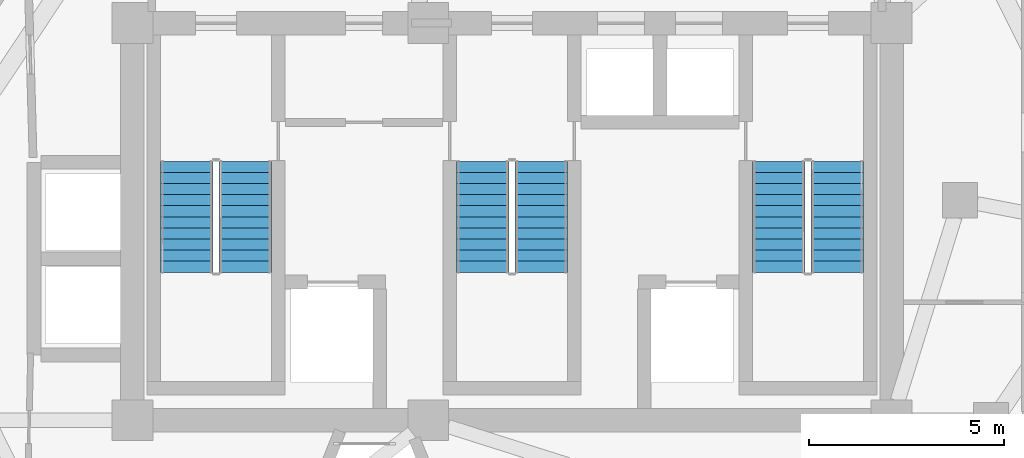
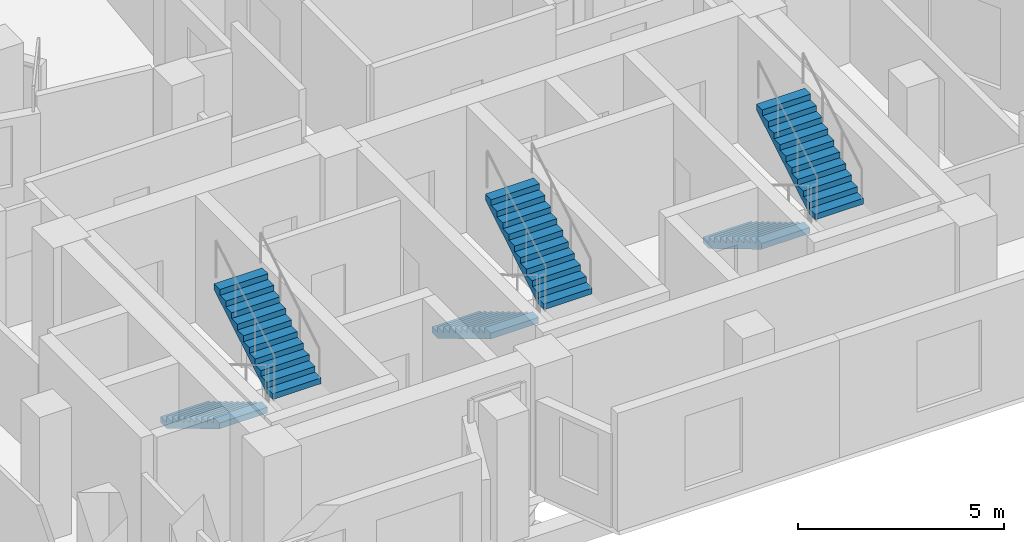
# One storey, part 8 of 10: 6 stair flights, 3 elements without a shape of their own.
"""IFC4 building model written with IfcOpenShell, lengths in metres."""

from ifc_helpers import new_model, si_unit, direction, frame, origin, place, context, subcontext, project, spatial, polyline, outline, extrude, material, type_object, element, aggregate, save


model = new_model("IFC4")

# Units and contexts
model_context = context("Model", 3, precision=1e-05, world=origin(), true_north=direction((0.0, 1.0)))
body_context = subcontext(model_context, "Body", "Model", "MODEL_VIEW")
ifc_project = project(units=[si_unit("LENGTHUNIT", "METRE"), si_unit("AREAUNIT", "SQUARE_METRE"), si_unit("VOLUMEUNIT", "CUBIC_METRE"), si_unit("PLANEANGLEUNIT", "RADIAN"), si_unit("MASSUNIT", "GRAM", prefix="KILO")], contexts=[model_context])

# Site, building, storey
site_placement = place(None, origin())
site = spatial("IfcSite", under=ifc_project, at=site_placement, CompositionType="ELEMENT")
building_placement = place(site_placement, origin())
building = spatial("IfcBuilding", under=site, at=building_placement, Name="Almagre Mirador Tower", CompositionType="ELEMENT")
storey_placement = place(building_placement, frame((0.0, 0.0, 255.75)))
storey = spatial("IfcBuildingStorey", under=building, at=storey_placement, Name="L66", CompositionType="ELEMENT", Elevation=255.75)

# Stair, stair flights
ifc_material_1 = material(Name="Concrete C45/55", Category="concrete")
stair_type = type_object("IfcStairType", Name="STR-DL-3750", PredefinedType="HALF_TURN_STAIR", material=ifc_material_1)
stair_1_placement = place(storey_placement, origin())
stair_1 = element("IfcStair", 1, at=stair_1_placement, inside=storey, type_object=stair_type, Name="L66 Protected exit stair ST-1", PredefinedType="HALF_TURN_STAIR")
ifc_material_2 = material(Name="Concrete C45/55", Category="concrete")
stair_flight_type = type_object("IfcStairFlightType", Name="FLT-DL-3750", PredefinedType="STRAIGHT", material=ifc_material_2)
stair_flight_1_placement = place(storey_placement, frame((28.949951171875, 11.199951171875, 0.0), z_axis=(0.0, 0.0, 1.0), x_axis=(0.0, -1.0, 0.0)))
stair_flight_1 = element("IfcStairFlight", 2, at=stair_flight_1_placement, type_object=stair_flight_type, Name="ST-1 flight 1", NumberOfRisers=11, NumberOfTreads=10, PredefinedType="STRAIGHT", RiserHeight=0.170454545, TreadLength=0.285, context=body_context, shape_type="SweptSolid", body=[
    extrude(outline(polyline([(0.0, 0.0), (0.0, 0.17041015625), (0.284912109375, 0.17041015625), (0.284912109375, 0.3408203125), (0.570068359375, 0.3408203125), (0.570068359375, 0.511474609375), (0.85498046875, 0.511474609375), (0.85498046875, 0.681884765625), (1.139892578125, 0.681884765625), (1.139892578125, 0.852294921875), (1.425048828125, 0.852294921875), (1.425048828125, 1.022705078125), (1.7099609375, 1.022705078125), (1.7099609375, 1.193115234375), (1.9951171875, 1.193115234375), (1.9951171875, 1.363525390625), (2.280029296875, 1.363525390625), (2.280029296875, 1.5341796875), (2.56494140625, 1.5341796875), (2.56494140625, 1.70458984375), (2.85009765625, 1.70458984375), (2.85009765625, 1.875), (2.85009765625, 1.52978515625), (0.2919921875, 0.0), (0.0, 0.0)])), frame((0.0, 0.675048828125, 0.0), z_axis=(0.0, -1.0, 0.0), x_axis=(1.0, 0.0, 0.0)), (0.0, 0.0, 1.0), 1.35009765625),
])
stair_flight_2_placement = place(storey_placement, frame((30.449951171875, 8.35009765625, 1.875), z_axis=(0.0, 0.0, 1.0), x_axis=(0.0, 1.0, 0.0)))
stair_flight_2 = element("IfcStairFlight", 3, at=stair_flight_2_placement, type_object=stair_flight_type, Name="ST-1 flight 2", NumberOfRisers=11, NumberOfTreads=10, PredefinedType="STRAIGHT", RiserHeight=0.170454545, TreadLength=0.285, context=body_context, shape_type="SweptSolid", body=[
    extrude(outline(polyline([(0.0, 0.0), (0.0, 0.17041015625), (0.284912109375, 0.17041015625), (0.284912109375, 0.3408203125), (0.570068359375, 0.3408203125), (0.570068359375, 0.511474609375), (0.85498046875, 0.511474609375), (0.85498046875, 0.681884765625), (1.139892578125, 0.681884765625), (1.139892578125, 0.852294921875), (1.425048828125, 0.852294921875), (1.425048828125, 1.022705078125), (1.7099609375, 1.022705078125), (1.7099609375, 1.193115234375), (1.9951171875, 1.193115234375), (1.9951171875, 1.363525390625), (2.280029296875, 1.363525390625), (2.280029296875, 1.5341796875), (2.56494140625, 1.5341796875), (2.56494140625, 1.70458984375), (2.85009765625, 1.70458984375), (2.85009765625, 1.875), (2.85009765625, 1.52978515625), (0.2919921875, 0.0), (0.0, 0.0)])), frame((0.0, 0.675048828125, 0.0), z_axis=(0.0, -1.0, 0.0), x_axis=(1.0, 0.0, 0.0)), (0.0, 0.0, 1.0), 1.35009765625),
])
aggregate(stair_1, [stair_flight_1, stair_flight_2])

stair_2_placement = place(storey_placement, origin())
stair_2 = element("IfcStair", 4, at=stair_2_placement, inside=storey, type_object=stair_type, Name="L66 Protected exit stair ST-2", PredefinedType="HALF_TURN_STAIR")
stair_flight_3_placement = place(storey_placement, frame((36.550048828125, 11.199951171875, 0.0), z_axis=(0.0, 0.0, 1.0), x_axis=(0.0, -1.0, 0.0)))
stair_flight_3 = element("IfcStairFlight", 5, at=stair_flight_3_placement, type_object=stair_flight_type, Name="ST-2 flight 1", NumberOfRisers=11, NumberOfTreads=10, PredefinedType="STRAIGHT", RiserHeight=0.170454545, TreadLength=0.285, context=body_context, shape_type="SweptSolid", body=[
    extrude(outline(polyline([(0.0, 0.0), (0.0, 0.17041015625), (0.284912109375, 0.17041015625), (0.284912109375, 0.3408203125), (0.570068359375, 0.3408203125), (0.570068359375, 0.511474609375), (0.85498046875, 0.511474609375), (0.85498046875, 0.681884765625), (1.139892578125, 0.681884765625), (1.139892578125, 0.852294921875), (1.425048828125, 0.852294921875), (1.425048828125, 1.022705078125), (1.7099609375, 1.022705078125), (1.7099609375, 1.193115234375), (1.9951171875, 1.193115234375), (1.9951171875, 1.363525390625), (2.280029296875, 1.363525390625), (2.280029296875, 1.5341796875), (2.56494140625, 1.5341796875), (2.56494140625, 1.70458984375), (2.85009765625, 1.70458984375), (2.85009765625, 1.875), (2.85009765625, 1.52978515625), (0.2919921875, 0.0), (0.0, 0.0)])), frame((0.0, 0.675048828125, 0.0), z_axis=(0.0, -1.0, 0.0), x_axis=(1.0, 0.0, 0.0)), (0.0, 0.0, 1.0), 1.35009765625),
])
stair_flight_4_placement = place(storey_placement, frame((38.050048828125, 8.35009765625, 1.875), z_axis=(0.0, 0.0, 1.0), x_axis=(0.0, 1.0, 0.0)))
stair_flight_4 = element("IfcStairFlight", 6, at=stair_flight_4_placement, type_object=stair_flight_type, Name="ST-2 flight 2", NumberOfRisers=11, NumberOfTreads=10, PredefinedType="STRAIGHT", RiserHeight=0.170454545, TreadLength=0.285, context=body_context, shape_type="SweptSolid", body=[
    extrude(outline(polyline([(0.0, 0.0), (0.0, 0.17041015625), (0.284912109375, 0.17041015625), (0.284912109375, 0.3408203125), (0.570068359375, 0.3408203125), (0.570068359375, 0.511474609375), (0.85498046875, 0.511474609375), (0.85498046875, 0.681884765625), (1.139892578125, 0.681884765625), (1.139892578125, 0.852294921875), (1.425048828125, 0.852294921875), (1.425048828125, 1.022705078125), (1.7099609375, 1.022705078125), (1.7099609375, 1.193115234375), (1.9951171875, 1.193115234375), (1.9951171875, 1.363525390625), (2.280029296875, 1.363525390625), (2.280029296875, 1.5341796875), (2.56494140625, 1.5341796875), (2.56494140625, 1.70458984375), (2.85009765625, 1.70458984375), (2.85009765625, 1.875), (2.85009765625, 1.52978515625), (0.2919921875, 0.0), (0.0, 0.0)])), frame((0.0, 0.675048828125, 0.0), z_axis=(0.0, -1.0, 0.0), x_axis=(1.0, 0.0, 0.0)), (0.0, 0.0, 1.0), 1.35009765625),
])
aggregate(stair_2, [stair_flight_3, stair_flight_4])

stair_3_placement = place(storey_placement, origin())
stair_3 = element("IfcStair", 7, at=stair_3_placement, inside=storey, type_object=stair_type, Name="L66 Protected exit stair ST-3", PredefinedType="HALF_TURN_STAIR")
stair_flight_5_placement = place(storey_placement, frame((44.14990234375, 11.199951171875, 0.0), z_axis=(0.0, 0.0, 1.0), x_axis=(0.0, -1.0, 0.0)))
stair_flight_5 = element("IfcStairFlight", 8, at=stair_flight_5_placement, type_object=stair_flight_type, Name="ST-3 flight 1", NumberOfRisers=11, NumberOfTreads=10, PredefinedType="STRAIGHT", RiserHeight=0.170454545, TreadLength=0.285, context=body_context, shape_type="SweptSolid", body=[
    extrude(outline(polyline([(0.0, 0.0), (0.0, 0.17041015625), (0.284912109375, 0.17041015625), (0.284912109375, 0.3408203125), (0.570068359375, 0.3408203125), (0.570068359375, 0.511474609375), (0.85498046875, 0.511474609375), (0.85498046875, 0.681884765625), (1.139892578125, 0.681884765625), (1.139892578125, 0.852294921875), (1.425048828125, 0.852294921875), (1.425048828125, 1.022705078125), (1.7099609375, 1.022705078125), (1.7099609375, 1.193115234375), (1.9951171875, 1.193115234375), (1.9951171875, 1.363525390625), (2.280029296875, 1.363525390625), (2.280029296875, 1.5341796875), (2.56494140625, 1.5341796875), (2.56494140625, 1.70458984375), (2.85009765625, 1.70458984375), (2.85009765625, 1.875), (2.85009765625, 1.52978515625), (0.2919921875, 0.0), (0.0, 0.0)])), frame((0.0, 0.675048828125, 0.0), z_axis=(0.0, -1.0, 0.0), x_axis=(1.0, 0.0, 0.0)), (0.0, 0.0, 1.0), 1.35009765625),
])
stair_flight_6_placement = place(storey_placement, frame((45.64990234375, 8.35009765625, 1.875), z_axis=(0.0, 0.0, 1.0), x_axis=(0.0, 1.0, 0.0)))
stair_flight_6 = element("IfcStairFlight", 9, at=stair_flight_6_placement, type_object=stair_flight_type, Name="ST-3 flight 2", NumberOfRisers=11, NumberOfTreads=10, PredefinedType="STRAIGHT", RiserHeight=0.170454545, TreadLength=0.285, context=body_context, shape_type="SweptSolid", body=[
    extrude(outline(polyline([(0.0, 0.0), (0.0, 0.17041015625), (0.284912109375, 0.17041015625), (0.284912109375, 0.3408203125), (0.570068359375, 0.3408203125), (0.570068359375, 0.511474609375), (0.85498046875, 0.511474609375), (0.85498046875, 0.681884765625), (1.139892578125, 0.681884765625), (1.139892578125, 0.852294921875), (1.425048828125, 0.852294921875), (1.425048828125, 1.022705078125), (1.7099609375, 1.022705078125), (1.7099609375, 1.193115234375), (1.9951171875, 1.193115234375), (1.9951171875, 1.363525390625), (2.280029296875, 1.363525390625), (2.280029296875, 1.5341796875), (2.56494140625, 1.5341796875), (2.56494140625, 1.70458984375), (2.85009765625, 1.70458984375), (2.85009765625, 1.875), (2.85009765625, 1.52978515625), (0.2919921875, 0.0), (0.0, 0.0)])), frame((0.0, 0.675048828125, 0.0), z_axis=(0.0, -1.0, 0.0), x_axis=(1.0, 0.0, 0.0)), (0.0, 0.0, 1.0), 1.35009765625),
])
aggregate(stair_3, [stair_flight_5, stair_flight_6])

save(model, "model.ifc")
